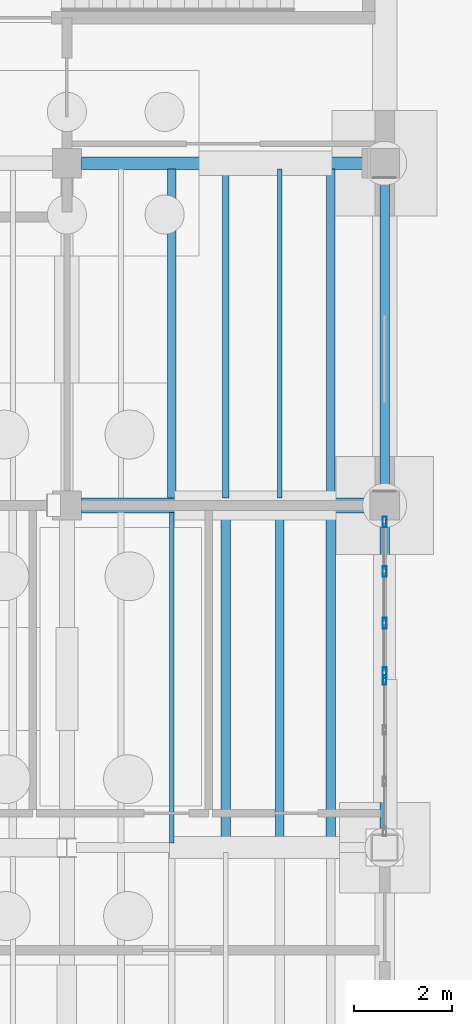
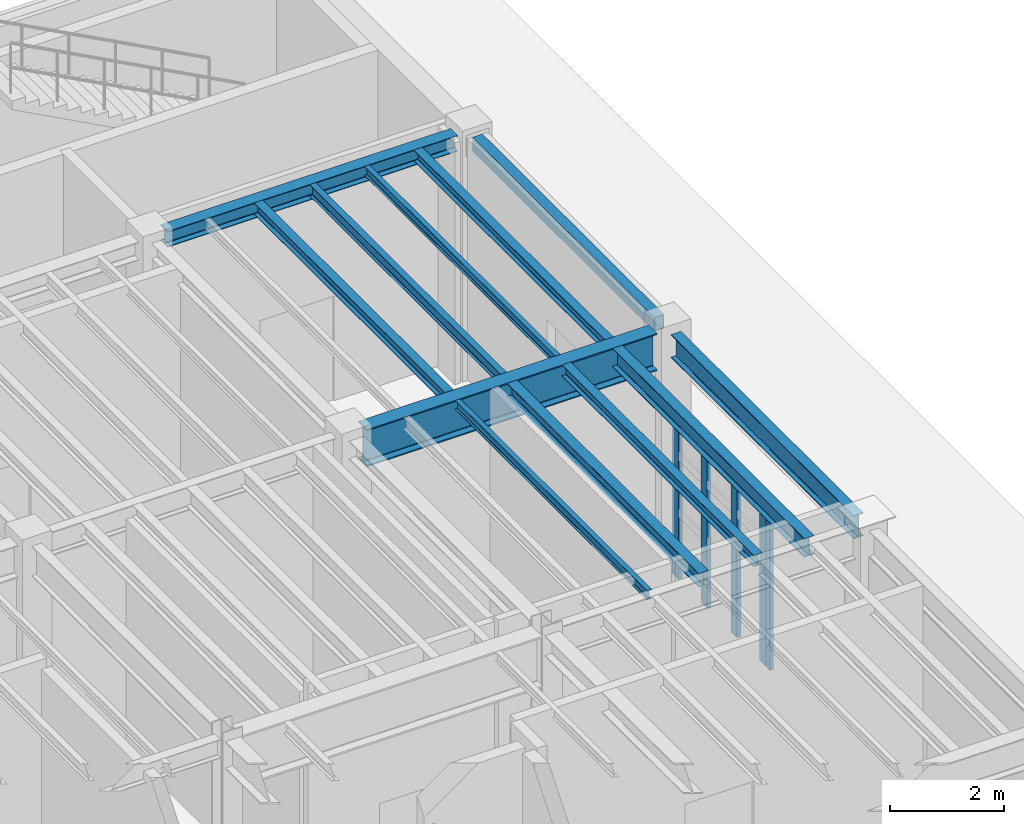
# One storey, part 46 of 86: 12 beams, 5 members, 2 elements without a shape of their own.
"""IFC4 building model written with IfcOpenShell, lengths in metres."""

from ifc_helpers import new_model, si_unit, direction, frame, origin, origin_2d, place, context, subcontext, project, spatial, hollow_rectangle, i_section, extrude, material, material_profile, profile_set, type_object, element, aggregate, save


model = new_model("IFC4")

# Units and contexts
model_context = context("Model", 3, precision=1e-05, world=origin(), true_north=direction((0.0, 1.0)))
body_context = subcontext(model_context, "Body", "Model", "MODEL_VIEW")
ifc_project = project(units=[si_unit("LENGTHUNIT", "METRE"), si_unit("AREAUNIT", "SQUARE_METRE"), si_unit("VOLUMEUNIT", "CUBIC_METRE"), si_unit("PLANEANGLEUNIT", "RADIAN"), si_unit("MASSUNIT", "GRAM", prefix="KILO"), si_unit("THERMODYNAMICTEMPERATUREUNIT", "KELVIN"), si_unit("POWERUNIT", "WATT")], contexts=[model_context])

# Site, building, storey
site_placement = place(None, origin())
site = spatial("IfcSite", under=ifc_project, at=site_placement, CompositionType="ELEMENT")
building_placement = place(site_placement, origin())
building = spatial("IfcBuilding", under=site, at=building_placement, Name="Zhenchuan Central Fire Station", CompositionType="ELEMENT")
storey_placement = place(building_placement, frame((0.0, 0.0, 0.449951171875)))
storey = spatial("IfcBuildingStorey", under=building, at=storey_placement, Name="L01", CompositionType="ELEMENT", Elevation=0.449951171875)

# Beams
ifc_material_1 = material(Name="Steel Q355B", Category="steel")
ifc_material_profile_1 = material_profile(ifc_material_1, i_section(OverallWidth=0.25, OverallDepth=0.340087890625, WebThickness=0.009033203125, FlangeThickness=0.013916015625, FilletRadius=0.01806640625, at=origin_2d()), Name="HM 340x250")
ifc_profile_set_1 = profile_set([ifc_material_profile_1], Name="Steel Q355B")
beam_type_1 = type_object("IfcBeamType", Name="BM-HM340", PredefinedType="BEAM", material=ifc_profile_set_1)
beam_1_placement = place(storey_placement, frame((154.800048828125, 49.5, 5.030029296875), z_axis=(1.0, 0.0, 0.0), x_axis=(0.0, 1.0, 0.0)))
element("IfcBeam", 1, at=beam_1_placement, inside=storey, type_object=beam_type_1, Name="L02 Girder EW 0093", PredefinedType="BEAM", context=body_context, shape_type="SweptSolid", body=[
    extrude(i_section(OverallWidth=0.25, OverallDepth=0.340087890625, WebThickness=0.009033203125, FlangeThickness=0.013916015625, FilletRadius=0.01806640625, at=origin_2d()), origin(), (0.0, 0.0, 1.0), 5.89990234375),
])
ifc_material_profile_2 = material_profile(ifc_material_1, i_section(OverallWidth=0.199951171875, OverallDepth=0.5, WebThickness=0.010009765625, FlangeThickness=0.01611328125, FilletRadius=0.02001953125, at=origin_2d()), Name="HN 500x200")
ifc_profile_set_2 = profile_set([ifc_material_profile_2], Name="Steel Q355B")
beam_type_2 = type_object("IfcBeamType", Name="BM-HN500", PredefinedType="BEAM", material=ifc_profile_set_2)
beam_2_placement = place(storey_placement, frame((161.0, 35.77490234375, 4.949951171875), z_axis=(0.0, 1.0, 0.0), x_axis=(-1.0, 0.0, 0.0)))
element("IfcBeam", 2, at=beam_2_placement, inside=storey, type_object=beam_type_2, Name="L02 Girder NS 0180", PredefinedType="BEAM", context=body_context, shape_type="SweptSolid", body=[
    extrude(i_section(OverallWidth=0.199951171875, OverallDepth=0.5, WebThickness=0.010009765625, FlangeThickness=0.01611328125, FilletRadius=0.02001953125, at=origin_2d()), origin(), (0.0, 0.0, 1.0), 6.425048828125),
])
ifc_material_profile_3 = material_profile(ifc_material_1, i_section(OverallWidth=0.300048828125, OverallDepth=0.800048828125, WebThickness=0.013916015625, FlangeThickness=0.02587890625, FilletRadius=0.02587890625, at=origin_2d()), Name="HN 800x300")
ifc_profile_set_3 = profile_set([ifc_material_profile_3], Name="Steel Q355B")
beam_type_3 = type_object("IfcBeamType", Name="BM-HN800", PredefinedType="BEAM", material=ifc_profile_set_3)
beam_3_placement = place(storey_placement, frame((154.800048828125, 42.5, 4.800048828125), z_axis=(1.0, 0.0, 0.0), x_axis=(0.0, 1.0, 0.0)))
element("IfcBeam", 3, at=beam_3_placement, inside=storey, type_object=beam_type_3, Name="L02 Girder EW 0082", PredefinedType="BEAM", context=body_context, shape_type="SweptSolid", body=[
    extrude(i_section(OverallWidth=0.300048828125, OverallDepth=0.800048828125, WebThickness=0.013916015625, FlangeThickness=0.02587890625, FilletRadius=0.02587890625, at=origin_2d()), origin(), (0.0, 0.0, 1.0), 5.89990234375),
])

# Curtain wall, member
ifc_material_2 = material(Name="Anodised aluminium and low-E glazing", Category="aluminium")
curtain_wall_type_1 = type_object("IfcCurtainWallType", Name="CW-MOD-11", PredefinedType="USERDEFINED", material=ifc_material_2)
curtain_wall_1_placement = place(storey_placement, origin())
curtain_wall_1 = element("IfcCurtainWall", 4, at=curtain_wall_1_placement, inside=storey, type_object=curtain_wall_type_1, Name="L01 Unitised Curtain Wall 078", ObjectType="UNITISED GLAZING", PredefinedType="USERDEFINED")
ifc_material_3 = material(Name="Anodised aluminium EN AW-6063", Category="aluminium")
ifc_material_profile_4 = material_profile(ifc_material_3, hollow_rectangle(XDim=0.074951171875, YDim=0.199951171875, WallThickness=0.0048828125, at=origin_2d()), Name="ALU-M 200x75")
ifc_profile_set_4 = profile_set([ifc_material_profile_4], Name="Anodised aluminium EN AW-6063")
member_type_1 = type_object("IfcMemberType", Name="CW-MUL160", PredefinedType="MULLION", material=ifc_profile_set_4)
member_1_placement = place(storey_placement, frame((161.0, 38.929443359375, -0.00390625), z_axis=(0.0, 0.0, 1.0), x_axis=(-1.0, 0.0, 0.0)))
member_1 = element("IfcMember", 5, at=member_1_placement, type_object=member_type_1, Name="CW-11 mullion 4", PredefinedType="MULLION", context=body_context, shape_type="SweptSolid", body=[
    extrude(hollow_rectangle(XDim=0.074951171875, YDim=0.199951171875, WallThickness=0.0048828125, at=origin_2d()), origin(), (0.0, 0.0, 1.0), 3.404052734375),
])
aggregate(curtain_wall_1, [member_1])

# Curtain wall, members
curtain_wall_type_2 = type_object("IfcCurtainWallType", Name="CW-MOD-12", PredefinedType="USERDEFINED", material=ifc_material_2)
curtain_wall_2_placement = place(storey_placement, origin())
curtain_wall_2 = element("IfcCurtainWall", 6, at=curtain_wall_2_placement, inside=storey, type_object=curtain_wall_type_2, Name="L01 Unitised Curtain Wall 079", ObjectType="UNITISED GLAZING", PredefinedType="USERDEFINED")
ifc_material_profile_5 = material_profile(ifc_material_3, hollow_rectangle(XDim=0.080078125, YDim=0.219970703125, WallThickness=0.005615234375, at=origin_2d()), Name="ALU-M 220x80")
ifc_profile_set_5 = profile_set([ifc_material_profile_5], Name="Anodised aluminium EN AW-6063")
member_type_2 = type_object("IfcMemberType", Name="CW-MUL200", PredefinedType="MULLION", material=ifc_profile_set_5)
member_2_placement = place(storey_placement, frame((161.0, 39.075439453125, -0.00390625), z_axis=(0.0, 0.0, 1.0), x_axis=(-1.0, 0.0, 0.0)))
member_2 = element("IfcMember", 7, at=member_2_placement, type_object=member_type_2, Name="CW-12 mullion 1", PredefinedType="MULLION", context=body_context, shape_type="SweptSolid", body=[
    extrude(hollow_rectangle(XDim=0.080078125, YDim=0.219970703125, WallThickness=0.005615234375, at=origin_2d()), origin(), (0.0, 0.0, 1.0), 3.404052734375),
])
member_3_placement = place(storey_placement, frame((161.0, 40.092041015625, -0.00390625), z_axis=(0.0, 0.0, 1.0), x_axis=(-1.0, 0.0, 0.0)))
member_3 = element("IfcMember", 8, at=member_3_placement, type_object=member_type_2, Name="CW-12 mullion 2", PredefinedType="MULLION", context=body_context, shape_type="SweptSolid", body=[
    extrude(hollow_rectangle(XDim=0.080078125, YDim=0.219970703125, WallThickness=0.005615234375, at=origin_2d()), origin(), (0.0, 0.0, 1.0), 3.404052734375),
])
member_4_placement = place(storey_placement, frame((161.0, 41.14599609375, -0.00390625), z_axis=(0.0, 0.0, 1.0), x_axis=(-1.0, 0.0, 0.0)))
member_4 = element("IfcMember", 9, at=member_4_placement, type_object=member_type_2, Name="CW-12 mullion 3", PredefinedType="MULLION", context=body_context, shape_type="SweptSolid", body=[
    extrude(hollow_rectangle(XDim=0.080078125, YDim=0.219970703125, WallThickness=0.005615234375, at=origin_2d()), origin(), (0.0, 0.0, 1.0), 3.404052734375),
])
member_5_placement = place(storey_placement, frame((161.0, 42.16259765625, -0.00390625), z_axis=(0.0, 0.0, 1.0), x_axis=(-1.0, 0.0, 0.0)))
member_5 = element("IfcMember", 10, at=member_5_placement, type_object=member_type_2, Name="CW-12 mullion 4", PredefinedType="MULLION", context=body_context, shape_type="SweptSolid", body=[
    extrude(hollow_rectangle(XDim=0.080078125, YDim=0.219970703125, WallThickness=0.005615234375, at=origin_2d()), origin(), (0.0, 0.0, 1.0), 3.404052734375),
])
aggregate(curtain_wall_2, [member_2, member_3, member_4, member_5])

# Beams
ifc_material_profile_6 = material_profile(ifc_material_1, i_section(OverallWidth=0.175048828125, OverallDepth=0.243896484375, WebThickness=0.007080078125, FlangeThickness=0.010986328125, FilletRadius=0.012939453125, at=origin_2d()), Name="HM 244x175")
ifc_profile_set_6 = profile_set([ifc_material_profile_6], Name="Steel Q355B")
beam_type_4 = type_object("IfcBeamType", Name="JS-HM244", PredefinedType="JOIST", material=ifc_profile_set_6)
beam_4_placement = place(storey_placement, frame((158.85498046875, 35.596923828125, 5.078125), z_axis=(0.0, 1.0, 0.0), x_axis=(-1.0, 0.0, 0.0)))
element("IfcBeam", 11, at=beam_4_placement, inside=storey, type_object=beam_type_4, Name="L02 Secondary Joist 0217", PredefinedType="JOIST", context=body_context, shape_type="SweptSolid", body=[
    extrude(i_section(OverallWidth=0.175048828125, OverallDepth=0.243896484375, WebThickness=0.007080078125, FlangeThickness=0.010986328125, FilletRadius=0.012939453125, at=origin_2d()), origin(), (0.0, 0.0, 1.0), 6.756103515625),
])
for number, where, z_axis, x_axis, name in (
    (12, (156.64501953125, 42.64697265625, 5.078125), (0.0, 1.0, 0.0), (-1.0, 0.0, 0.0), "L02 Secondary Joist 0270"),
    (13, (159.89501953125, 42.64697265625, 5.078125), (0.0, 1.0, 0.0), (-1.0, 0.0, 0.0), "L02 Secondary Joist 0273"),
):
    element("IfcBeam", number, at=place(storey_placement, frame(where, z_axis=z_axis, x_axis=x_axis)), inside=storey, type_object=beam_type_4, Name=name, PredefinedType="JOIST", context=body_context, shape_type="SweptSolid", body=[
        extrude(i_section(OverallWidth=0.175048828125, OverallDepth=0.243896484375, WebThickness=0.007080078125, FlangeThickness=0.010986328125, FilletRadius=0.012939453125, at=origin_2d()), origin(), (0.0, 0.0, 1.0), 6.73095703125),
    ])
ifc_material_profile_7 = material_profile(ifc_material_1, i_section(OverallWidth=0.199951171875, OverallDepth=0.2939453125, WebThickness=0.008056640625, FlangeThickness=0.011962890625, FilletRadius=0.01611328125, at=origin_2d()), Name="HM 294x200")
ifc_profile_set_7 = profile_set([ifc_material_profile_7], Name="Steel Q355B")
beam_type_5 = type_object("IfcBeamType", Name="JS-HM294", PredefinedType="JOIST", material=ifc_profile_set_7)
beam_5_placement = place(storey_placement, frame((157.75, 35.596923828125, 5.052978515625), z_axis=(0.0, 1.0, 0.0), x_axis=(-1.0, 0.0, 0.0)))
element("IfcBeam", 14, at=beam_5_placement, inside=storey, type_object=beam_type_5, Name="L02 Secondary Joist 0216", PredefinedType="JOIST", context=body_context, shape_type="SweptSolid", body=[
    extrude(i_section(OverallWidth=0.199951171875, OverallDepth=0.2939453125, WebThickness=0.008056640625, FlangeThickness=0.011962890625, FilletRadius=0.01611328125, at=origin_2d()), origin(), (0.0, 0.0, 1.0), 6.756103515625),
])
ifc_material_profile_8 = material_profile(ifc_material_1, i_section(OverallWidth=0.10009765625, OverallDepth=0.199951171875, WebThickness=0.005615234375, FlangeThickness=0.008056640625, FilletRadius=0.010986328125, at=origin_2d()), Name="HN 200x100")
ifc_profile_set_8 = profile_set([ifc_material_profile_8], Name="Steel Q355B")
beam_type_6 = type_object("IfcBeamType", Name="JS-HN200", PredefinedType="JOIST", material=ifc_profile_set_8)
beam_6_placement = place(storey_placement, frame((156.64501953125, 35.596923828125, 5.10009765625), z_axis=(0.0, 1.0, 0.0), x_axis=(-1.0, 0.0, 0.0)))
element("IfcBeam", 15, at=beam_6_placement, inside=storey, type_object=beam_type_6, Name="L02 Secondary Joist 0215", PredefinedType="JOIST", context=body_context, shape_type="SweptSolid", body=[
    extrude(i_section(OverallWidth=0.10009765625, OverallDepth=0.199951171875, WebThickness=0.005615234375, FlangeThickness=0.008056640625, FilletRadius=0.010986328125, at=origin_2d()), origin(), (0.0, 0.0, 1.0), 6.756103515625),
])
beam_7_placement = place(storey_placement, frame((158.85498046875, 42.64697265625, 5.10009765625), z_axis=(0.0, 1.0, 0.0), x_axis=(-1.0, 0.0, 0.0)))
element("IfcBeam", 16, at=beam_7_placement, inside=storey, type_object=beam_type_6, Name="L02 Secondary Joist 0272", PredefinedType="JOIST", context=body_context, shape_type="SweptSolid", body=[
    extrude(i_section(OverallWidth=0.10009765625, OverallDepth=0.199951171875, WebThickness=0.005615234375, FlangeThickness=0.008056640625, FilletRadius=0.010986328125, at=origin_2d()), origin(), (0.0, 0.0, 1.0), 6.73095703125),
])
ifc_material_profile_9 = material_profile(ifc_material_1, i_section(OverallWidth=0.125, OverallDepth=0.25, WebThickness=0.006103515625, FlangeThickness=0.009033203125, FilletRadius=0.011962890625, at=origin_2d()), Name="HN 250x125")
ifc_profile_set_9 = profile_set([ifc_material_profile_9], Name="Steel Q355B")
beam_type_7 = type_object("IfcBeamType", Name="JS-HN250", PredefinedType="JOIST", material=ifc_profile_set_9)
beam_8_placement = place(storey_placement, frame((157.75, 42.64697265625, 5.074951171875), z_axis=(0.0, 1.0, 0.0), x_axis=(-1.0, 0.0, 0.0)))
element("IfcBeam", 17, at=beam_8_placement, inside=storey, type_object=beam_type_7, Name="L02 Secondary Joist 0271", PredefinedType="JOIST", context=body_context, shape_type="SweptSolid", body=[
    extrude(i_section(OverallWidth=0.125, OverallDepth=0.25, WebThickness=0.006103515625, FlangeThickness=0.009033203125, FilletRadius=0.011962890625, at=origin_2d()), origin(), (0.0, 0.0, 1.0), 6.73095703125),
])
ifc_material_profile_10 = material_profile(ifc_material_1, i_section(OverallWidth=0.199951171875, OverallDepth=0.39990234375, WebThickness=0.008056640625, FlangeThickness=0.012939453125, FilletRadius=0.01611328125, at=origin_2d()), Name="HN 400x200")
ifc_profile_set_10 = profile_set([ifc_material_profile_10], Name="Steel Q355B")
beam_type_8 = type_object("IfcBeamType", Name="JS-HN400", PredefinedType="JOIST", material=ifc_profile_set_10)
beam_9_placement = place(storey_placement, frame((159.89501953125, 35.596923828125, 5.0), z_axis=(0.0, 1.0, 0.0), x_axis=(-1.0, 0.0, 0.0)))
element("IfcBeam", 18, at=beam_9_placement, inside=storey, type_object=beam_type_8, Name="L02 Secondary Joist 0218", PredefinedType="JOIST", context=body_context, shape_type="SweptSolid", body=[
    extrude(i_section(OverallWidth=0.199951171875, OverallDepth=0.39990234375, WebThickness=0.008056640625, FlangeThickness=0.012939453125, FilletRadius=0.01611328125, at=origin_2d()), origin(), (0.0, 0.0, 1.0), 6.756103515625),
])
ifc_material_profile_11 = material_profile(ifc_material_1, hollow_rectangle(XDim=0.199951171875, YDim=0.300048828125, WallThickness=0.011962890625, at=origin_2d()), Name="RHS 300x200x12")
ifc_profile_set_11 = profile_set([ifc_material_profile_11], Name="Steel Q355B")
beam_type_9 = type_object("IfcBeamType", Name="SP-RHS300", PredefinedType="SPANDREL", material=ifc_profile_set_11)
beam_10_placement = place(storey_placement, frame((161.0, 42.800048828125, 5.050048828125), z_axis=(0.0, 1.0, 0.0), x_axis=(-1.0, 0.0, 0.0)))
element("IfcBeam", 19, at=beam_10_placement, inside=storey, type_object=beam_type_9, Name="L02 Girder NS 0181", PredefinedType="SPANDREL", context=body_context, shape_type="SweptSolid", body=[
    extrude(hollow_rectangle(XDim=0.199951171875, YDim=0.300048828125, WallThickness=0.011962890625, at=origin_2d()), origin(), (0.0, 0.0, 1.0), 6.39990234375),
])

save(model, "model.ifc")
